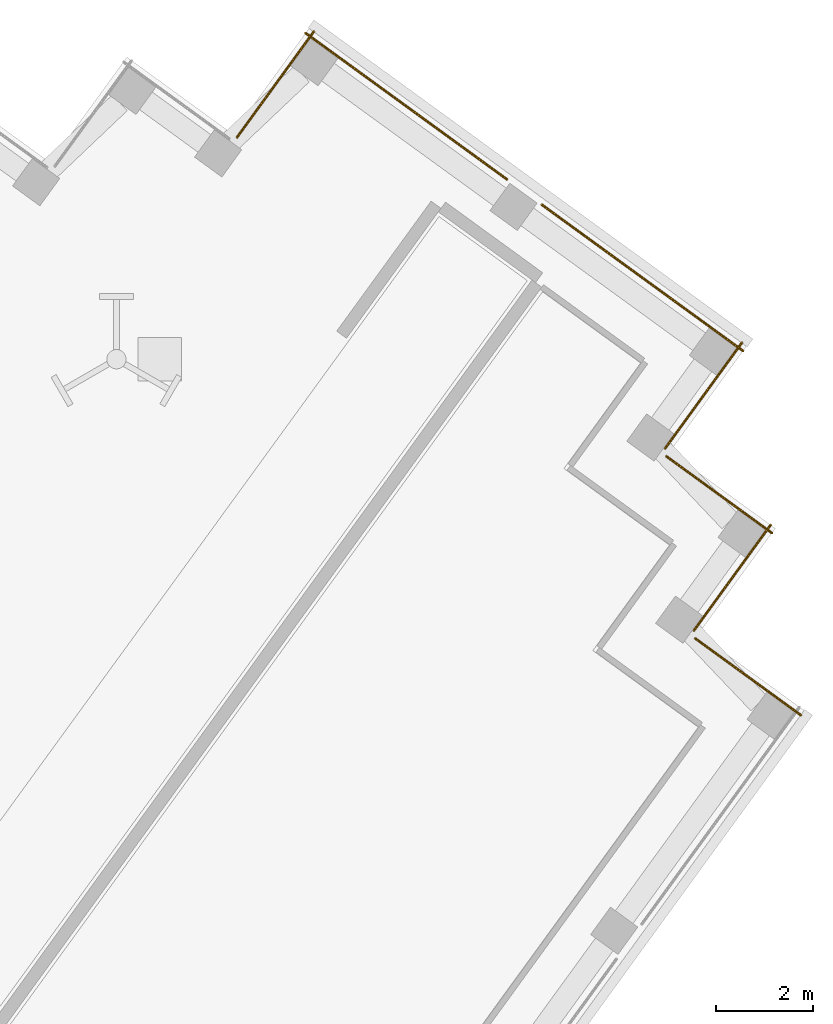
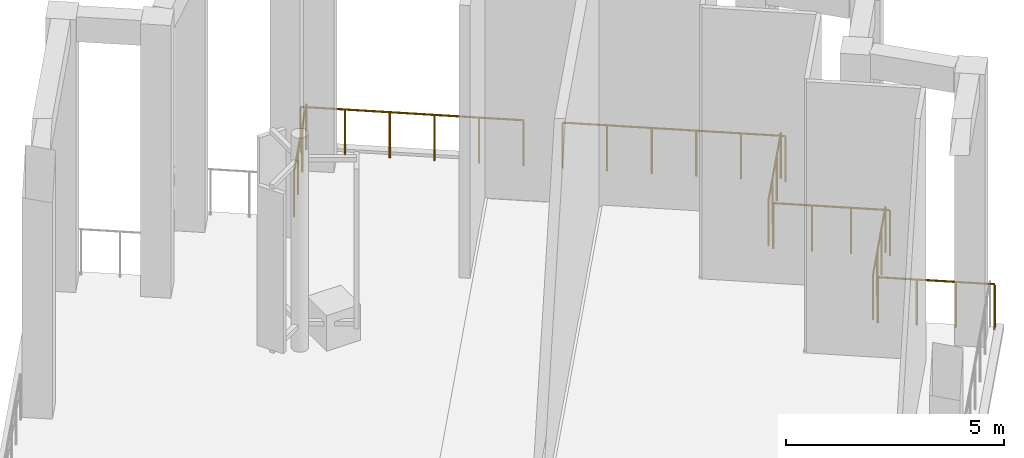
# One storey, part 11 of 12: 7 railings.
"""IFC4 building model written with IfcOpenShell, lengths in metres."""

from ifc_helpers import new_model, si_unit, direction, frame, origin, origin_2d, place, context, subcontext, project, spatial, circle, extrude, material, type_object, element, save


model = new_model("IFC4")

# Units and contexts
model_context = context("Model", 3, precision=1e-05, world=origin(), true_north=direction((0.0, 1.0)))
body_context = subcontext(model_context, "Body", "Model", "MODEL_VIEW")
ifc_project = project(units=[si_unit("LENGTHUNIT", "METRE"), si_unit("AREAUNIT", "SQUARE_METRE"), si_unit("VOLUMEUNIT", "CUBIC_METRE"), si_unit("PLANEANGLEUNIT", "RADIAN"), si_unit("MASSUNIT", "GRAM", prefix="KILO")], contexts=[model_context])

# Site, building, storey
site_placement = place(None, origin())
site = spatial("IfcSite", under=ifc_project, at=site_placement, CompositionType="ELEMENT")
building_placement = place(site_placement, origin())
building = spatial("IfcBuilding", under=site, at=building_placement, Name="Quipu Civic Tower", CompositionType="ELEMENT")
storey_placement = place(building_placement, frame((0.0, 0.0, 273.0)))
storey = spatial("IfcBuildingStorey", under=building, at=storey_placement, Name="L64", CompositionType="ELEMENT", Elevation=273.0)

# Railings
ifc_material = material(Name="Steel S275", Category="steel")
railing_type = type_object("IfcRailingType", Name="Slot perimeter guard G3", PredefinedType="GUARDRAIL", material=ifc_material)
railing_1_placement = place(storey_placement, frame((38.5859375, 6.866943359375, 0.0)))
element("IfcRailing", 1, at=railing_1_placement, inside=storey, type_object=railing_type, Name="Slot guard L64.27", PredefinedType="GUARDRAIL", context=body_context, shape_type="SweptSolid", body=[
    extrude(circle(Radius=0.02490234375, at=origin_2d()), frame((0.0, 0.0, 1.27490234375), z_axis=(-0.808990163075, 0.587822180636, 0.0), x_axis=(-0.587822180636, -0.808990163075, 0.0)), (0.0, 0.0, 1.0), 2.699951171875),
    extrude(circle(Radius=0.02490234375, at=origin_2d()), origin(), (0.0, 0.0, 1.0), 1.25),
    extrude(circle(Radius=0.02490234375, at=origin_2d()), frame((-0.72802734375, 0.529052734375, 0.0)), (0.0, 0.0, 1.0), 1.25),
    extrude(circle(Radius=0.02490234375, at=origin_2d()), frame((-1.456298828125, 1.05810546875, 0.0)), (0.0, 0.0, 1.0), 1.25),
    extrude(circle(Radius=0.02490234375, at=origin_2d()), frame((-2.184326171875, 1.587158203125, 0.0)), (0.0, 0.0, 1.0), 1.25),
])
railing_2_placement = place(storey_placement, frame((36.375, 8.62158203125, 0.0)))
element("IfcRailing", 2, at=railing_2_placement, inside=storey, type_object=railing_type, Name="Slot guard L64.28", PredefinedType="GUARDRAIL", context=body_context, shape_type="SweptSolid", body=[
    extrude(circle(Radius=0.02490234375, at=origin_2d()), frame((0.0, 0.0, 1.27490234375), z_axis=(0.587762999008, 0.809033161865, 0.0), x_axis=(-0.809033161865, 0.587762999008, 0.0)), (0.0, 0.0, 1.0), 2.699951171875),
    extrude(circle(Radius=0.02490234375, at=origin_2d()), origin(), (0.0, 0.0, 1.0), 1.25),
    extrude(circle(Radius=0.02490234375, at=origin_2d()), frame((0.529052734375, 0.72802734375, 0.0)), (0.0, 0.0, 1.0), 1.25),
    extrude(circle(Radius=0.02490234375, at=origin_2d()), frame((1.057861328125, 1.456298828125, 0.0)), (0.0, 0.0, 1.0), 1.25),
    extrude(circle(Radius=0.02490234375, at=origin_2d()), frame((1.5869140625, 2.184326171875, 0.0)), (0.0, 0.0, 1.0), 1.25),
])
railing_3_placement = place(storey_placement, frame((37.988525390625, 10.638427734375, 0.0)))
element("IfcRailing", 3, at=railing_3_placement, inside=storey, type_object=railing_type, Name="Slot guard L64.29", PredefinedType="GUARDRAIL", context=body_context, shape_type="SweptSolid", body=[
    extrude(circle(Radius=0.02490234375, at=origin_2d()), frame((0.0, 0.0, 1.27490234375), z_axis=(-0.809033161865, 0.587762999008, 0.0), x_axis=(-0.587762999008, -0.809033161865, 0.0)), (0.0, 0.0, 1.0), 2.699951171875),
    extrude(circle(Radius=0.02490234375, at=origin_2d()), origin(), (0.0, 0.0, 1.0), 1.25),
    extrude(circle(Radius=0.02490234375, at=origin_2d()), frame((-0.72802734375, 0.529052734375, 0.0)), (0.0, 0.0, 1.0), 1.25),
    extrude(circle(Radius=0.02490234375, at=origin_2d()), frame((-1.456298828125, 1.057861328125, 0.0)), (0.0, 0.0, 1.0), 1.25),
    extrude(circle(Radius=0.02490234375, at=origin_2d()), frame((-2.184326171875, 1.5869140625, 0.0)), (0.0, 0.0, 1.0), 1.25),
])
railing_4_placement = place(storey_placement, frame((35.77783203125, 12.392822265625, 0.0)))
element("IfcRailing", 4, at=railing_4_placement, inside=storey, type_object=railing_type, Name="Slot guard L64.30", PredefinedType="GUARDRAIL", context=body_context, shape_type="SweptSolid", body=[
    extrude(circle(Radius=0.02490234375, at=origin_2d()), frame((0.0, 0.0, 1.27490234375), z_axis=(0.587720002413, 0.809064397168, 0.0), x_axis=(-0.809064397168, 0.587720002413, 0.0)), (0.0, 0.0, 1.0), 2.7001953125),
    extrude(circle(Radius=0.02490234375, at=origin_2d()), origin(), (0.0, 0.0, 1.0), 1.25),
    extrude(circle(Radius=0.02490234375, at=origin_2d()), frame((0.529052734375, 0.728271484375, 0.0)), (0.0, 0.0, 1.0), 1.25),
    extrude(circle(Radius=0.02490234375, at=origin_2d()), frame((1.057861328125, 1.456298828125, 0.0)), (0.0, 0.0, 1.0), 1.25),
    extrude(circle(Radius=0.02490234375, at=origin_2d()), frame((1.5869140625, 2.1845703125, 0.0)), (0.0, 0.0, 1.0), 1.25),
])
for number, where, name in (
    (5, (37.391357421875, 14.40966796875, 0.0), "Slot guard L64.31"),
    (6, (32.496826171875, 17.9658203125, 0.0), "Slot guard L64.32"),
):
    element("IfcRailing", number, at=place(storey_placement, frame(where)), inside=storey, type_object=railing_type, Name=name, PredefinedType="GUARDRAIL", context=body_context, shape_type="SweptSolid", body=[
        extrude(circle(Radius=0.02490234375, at=origin_2d()), frame((0.0, 0.0, 1.27490234375), z_axis=(-0.809020934422, 0.587779829245, 0.0), x_axis=(-0.587779829245, -0.809020934422, 0.0)), (0.0, 0.0, 1.0), 5.150146484375),
        extrude(circle(Radius=0.02490234375, at=origin_2d()), origin(), (0.0, 0.0, 1.0), 1.25),
        extrude(circle(Radius=0.02490234375, at=origin_2d()), frame((-0.833251953125, 0.60546875, 0.0)), (0.0, 0.0, 1.0), 1.25),
        extrude(circle(Radius=0.02490234375, at=origin_2d()), frame((-1.66650390625, 1.2109375, 0.0)), (0.0, 0.0, 1.0), 1.25),
        extrude(circle(Radius=0.02490234375, at=origin_2d()), frame((-2.5, 1.816162109375, 0.0)), (0.0, 0.0, 1.0), 1.25),
        extrude(circle(Radius=0.02490234375, at=origin_2d()), frame((-3.333251953125, 2.421630859375, 0.0)), (0.0, 0.0, 1.0), 1.25),
        extrude(circle(Radius=0.02490234375, at=origin_2d()), frame((-4.16650390625, 3.027099609375, 0.0)), (0.0, 0.0, 1.0), 1.25),
    ])
railing_5_placement = place(storey_placement, frame((28.497802734375, 21.01953125, 0.0)))
element("IfcRailing", 7, at=railing_5_placement, inside=storey, type_object=railing_type, Name="Slot guard L64.33", PredefinedType="GUARDRAIL", context=body_context, shape_type="SweptSolid", body=[
    extrude(circle(Radius=0.02490234375, at=origin_2d()), frame((0.0, 0.0, 1.27490234375), z_axis=(-0.587720002413, -0.809064397168, 0.0), x_axis=(0.809064397168, -0.587720002413, 0.0)), (0.0, 0.0, 1.0), 2.7001953125),
    extrude(circle(Radius=0.02490234375, at=origin_2d()), origin(), (0.0, 0.0, 1.0), 1.25),
    extrude(circle(Radius=0.02490234375, at=origin_2d()), frame((-0.529052734375, -0.728271484375, 0.0)), (0.0, 0.0, 1.0), 1.25),
    extrude(circle(Radius=0.02490234375, at=origin_2d()), frame((-1.057861328125, -1.456298828125, 0.0)), (0.0, 0.0, 1.0), 1.25),
    extrude(circle(Radius=0.02490234375, at=origin_2d()), frame((-1.5869140625, -2.1845703125, 0.0)), (0.0, 0.0, 1.0), 1.25),
])

save(model, "model.ifc")
